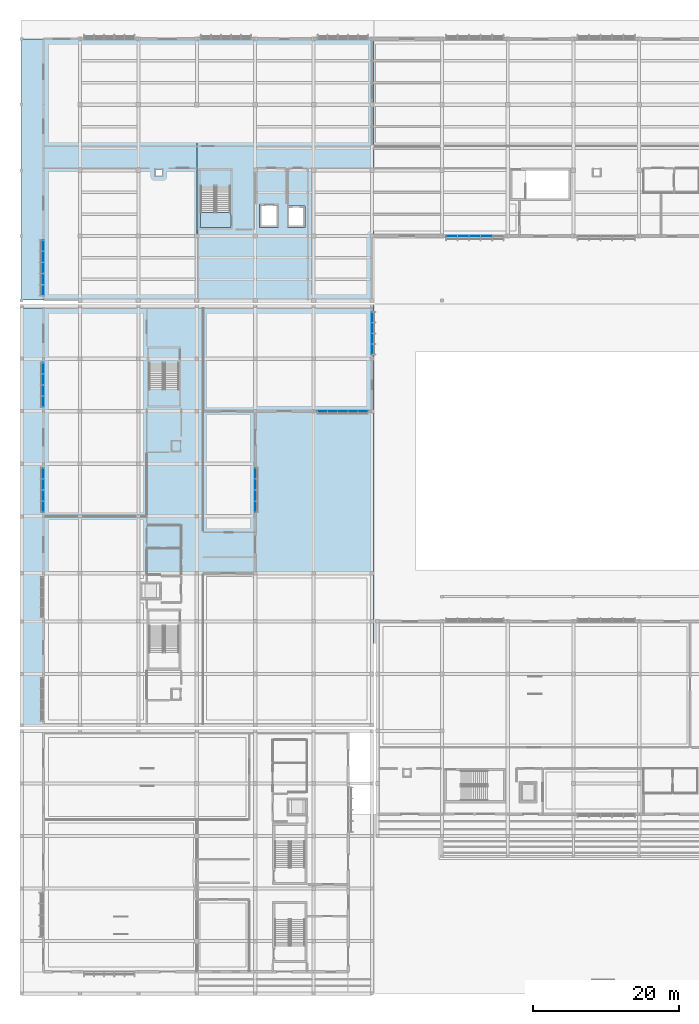
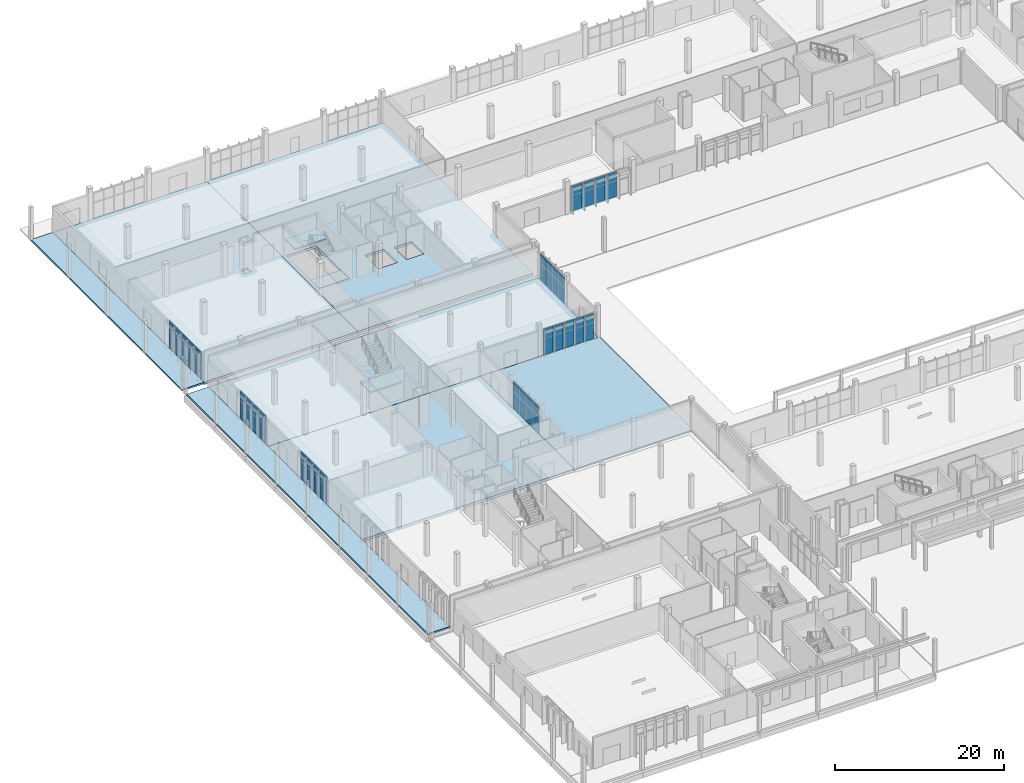
# One storey, part 108 of 151: 30 plates, 10 slabs, 9 elements without a shape of their own.
"""IFC4 building model written with IfcOpenShell, lengths in metres."""

import ifcopenshell
import ifcopenshell.guid

model = None  # the IFC model being written
_history = None  # IfcOwnerHistory: only IFC2X3 demands one
_inside = {}  # id of a spatial element -> (the spatial element, [elements in it])
_under = {}  # id of a project, library or spatial element -> (it, [spatial elements below it])
_declared = {}  # id of a project -> (the project, [libraries it declares])
_typed = {}  # id of a type object -> (the type object, [elements of that type])
_made_of = {}  # id of a material, layer set ... -> (it, [elements and type objects made of it])


def new_model(schema):
    """Start an empty IFC model of exactly this schema.

    Asked for "IFC4X3", IfcOpenShell would pick the latest addendum, in which some entities
    have other attributes; the version numbers below select the first issue.
    IFC2X3 requires an IfcOwnerHistory on every rooted entity: one is made here for all.
    """
    global model, _history
    if schema == "IFC4X3":
        model = ifcopenshell.file(schema_version=(4, 3, 0, 0))
    else:
        model = ifcopenshell.file(schema=schema)
    _inside.clear()
    _under.clear()
    _declared.clear()
    _typed.clear()
    _made_of.clear()
    _history = None
    if model.schema == "IFC2X3":
        org = make("IfcOrganization", Name="unknown")
        user = make(
            "IfcPersonAndOrganization",
            ThePerson=make("IfcPerson", FamilyName="unknown"),
            TheOrganization=org,
        )
        app = make(
            "IfcApplication",
            ApplicationDeveloper=org,
            Version="unknown",
            ApplicationFullName="unknown",
            ApplicationIdentifier="unknown",
        )
        _history = make(
            "IfcOwnerHistory",
            OwningUser=user,
            OwningApplication=app,
            ChangeAction="ADDED",
            CreationDate=0,
        )
    return model


def make(cls, **values):
    """One entity of the class cls with the attributes given. An attribute that is None is left unset."""
    return model.create_entity(
        cls, **{name: value for name, value in values.items() if value is not None}
    )


def rooted(cls, **values):
    """An entity with a GlobalId (a new one), such as an element, a storey or a relation."""
    return make(cls, GlobalId=ifcopenshell.guid.new(), OwnerHistory=_history, **values)


def si_unit(unit_type, name, prefix=None):
    """IfcSIUnit, for example si_unit("LENGTHUNIT", "METRE", prefix="MILLI")."""
    return make("IfcSIUnit", UnitType=unit_type, Prefix=prefix, Name=name)


def assignment(units):
    """IfcUnitAssignment: the units of a project."""
    return None if units is None else make("IfcUnitAssignment", Units=units)


def point(xyz):
    """IfcCartesianPoint."""
    return None if xyz is None else make("IfcCartesianPoint", Coordinates=xyz)


def direction(xyz):
    """IfcDirection."""
    return None if xyz is None else make("IfcDirection", DirectionRatios=xyz)


def frame(location, z_axis=None, x_axis=None):
    """IfcAxis2Placement3D, a coordinate frame: its origin and axes. An axis left out is left unset."""
    return make(
        "IfcAxis2Placement3D",
        Location=point(location),
        Axis=direction(z_axis),
        RefDirection=direction(x_axis),
    )


def frame_2d(location, x_axis=None):
    """IfcAxis2Placement2D, a coordinate frame in the plane: its origin and x axis."""
    return make(
        "IfcAxis2Placement2D", Location=point(location), RefDirection=direction(x_axis)
    )


def origin():
    """The frame at (0, 0, 0) with its axes left unset."""
    return frame((0.0, 0.0, 0.0))


def origin_2d():
    """The frame at (0, 0) in the plane with its x axis left unset."""
    return frame_2d((0.0, 0.0))


def place(relative_to, where):
    """IfcLocalPlacement: puts the frame where relative to a parent placement (None: the world)."""
    return make(
        "IfcLocalPlacement", PlacementRelTo=relative_to, RelativePlacement=where
    )


def context(
    kind, dimensions, precision=None, world=None, true_north=None, identifier=None
):
    """IfcGeometricRepresentationContext, for example the 3D "Model" context."""
    return make(
        "IfcGeometricRepresentationContext",
        ContextIdentifier=identifier,
        ContextType=kind,
        CoordinateSpaceDimension=dimensions,
        Precision=precision,
        WorldCoordinateSystem=world,
        TrueNorth=true_north,
    )


def subcontext(parent, identifier, kind, view, scale=None):
    """IfcGeometricRepresentationSubContext, for example "Body" below "Model"."""
    return make(
        "IfcGeometricRepresentationSubContext",
        ContextIdentifier=identifier,
        ContextType=kind,
        ParentContext=parent,
        TargetScale=scale,
        TargetView=view,
    )


def project(units=None, contexts=None):
    """IfcProject with its units and contexts."""
    return rooted(
        "IfcProject",
        Name="project",
        RepresentationContexts=contexts,
        UnitsInContext=assignment(units),
    )


def spatial(cls, under=None, at=None, **own):
    """A site, building, storey or space (cls), placed at a placement, below another one or the project."""
    s = rooted(cls, ObjectPlacement=at, **own)
    if under is not None:
        _under.setdefault(under.id(), (under, []))[1].append(s)
    return s


def polyline(points):
    """IfcPolyline through the points."""
    return make("IfcPolyline", Points=[point(p) for p in points])


def profile(cls, at=None, kind="AREA", **sizes):
    """A parametric profile (cls). Its sizes go by their IFC names, for example OverallWidth=200.0."""
    return make(cls, ProfileType=kind, Position=at, **sizes)


def rectangle(**sizes):
    """IfcRectangleProfileDef."""
    return profile("IfcRectangleProfileDef", **sizes)


def outline(outer, holes=None, kind="AREA"):
    """IfcArbitraryClosedProfileDef: a profile drawn as a closed curve; with holes, ...WithVoids."""
    if holes is None:
        return make("IfcArbitraryClosedProfileDef", ProfileType=kind, OuterCurve=outer)
    return make(
        "IfcArbitraryProfileDefWithVoids",
        ProfileType=kind,
        OuterCurve=outer,
        InnerCurves=holes,
    )


def extrude(swept, where, along, depth):
    """IfcExtrudedAreaSolid: the profile swept, set in the frame where, extruded along a direction by depth."""
    return make(
        "IfcExtrudedAreaSolid",
        SweptArea=swept,
        Position=where,
        ExtrudedDirection=direction(along),
        Depth=depth,
    )


def shape(context_of_items, identifier, shape_type, items):
    """IfcShapeRepresentation: the items that make up one representation, for example the "Body"."""
    return make(
        "IfcShapeRepresentation",
        ContextOfItems=context_of_items,
        RepresentationIdentifier=identifier,
        RepresentationType=shape_type,
        Items=items,
    )


def material(Name=None, Category=None):
    """IfcMaterial."""
    return make("IfcMaterial", Name=Name, Category=Category)


def layer(
    of_material, thickness, ventilated=None, Name=None, Category=None, Priority=None
):
    """IfcMaterialLayer: one layer of a wall or slab, of a material (None: an air gap)."""
    return make(
        "IfcMaterialLayer",
        Material=of_material,
        LayerThickness=thickness,
        IsVentilated=ventilated,
        Name=Name,
        Category=Category,
        Priority=Priority,
    )


def layer_set(layers, Name=None):
    """IfcMaterialLayerSet."""
    return make("IfcMaterialLayerSet", MaterialLayers=layers, LayerSetName=Name)


def made_of(thing, what):
    """Note that an element or type object is made of a material, layer set ...; save() writes the relation."""
    if what is not None:
        _made_of.setdefault(what.id(), (what, []))[1].append(thing)
    return thing


def type_object(cls, material=None, **own):
    """A type object (cls), such as IfcWallType, which elements share."""
    return made_of(rooted(cls, **own), material)


def element(
    cls,
    number,
    at=None,
    inside=None,
    cuts=None,
    type_object=None,
    material=None,
    context=None,
    identifier="Body",
    shape_type=None,
    held_by="IfcProductDefinitionShape",
    body=None,
    shapes=None,
    **own,
):
    """One element of the class cls, such as IfcWall. Its Tag is "e" and its number.

    at: its placement. inside: the storey or other place that contains it. cuts: it is an
    opening in that element (IfcRelVoidsElement). A single representation is given by context,
    identifier, shape_type and body (its items); several are given by shapes. held_by: the class
    of the entity that holds the representations. save() writes the other relations.
    """
    e = rooted(cls, Tag="e%d" % number, ObjectPlacement=at, **own)
    if body is not None:
        shapes = [shape(context, identifier, shape_type, body)]
    if shapes is not None:
        e.Representation = make(held_by, Representations=shapes)
    if inside is not None:
        _inside.setdefault(inside.id(), (inside, []))[1].append(e)
    if cuts is not None:
        rooted(
            "IfcRelVoidsElement", RelatingBuildingElement=cuts, RelatedOpeningElement=e
        )
    if type_object is not None:
        _typed.setdefault(type_object.id(), (type_object, []))[1].append(e)
    return made_of(e, material)


def aggregate(whole, parts):
    """IfcRelAggregates: a whole, such as a stair, and the parts it consists of."""
    return rooted("IfcRelAggregates", RelatingObject=whole, RelatedObjects=parts)


def save(model, path):
    """Write the relations noted so far, then the file.

    IfcRelAggregates (storeys below a building ...), IfcRelContainedInSpatialStructure (elements
    in a storey), IfcRelDefinesByType, IfcRelAssociatesMaterial and IfcRelDeclares: one each for
    every whole, place, type object, material and project.
    """
    for whole, parts in _under.values():
        aggregate(whole, parts)
    for where, things in _inside.values():
        rooted(
            "IfcRelContainedInSpatialStructure",
            RelatedElements=things,
            RelatingStructure=where,
        )
    for kind, things in _typed.values():
        rooted("IfcRelDefinesByType", RelatedObjects=things, RelatingType=kind)
    for what, things in _made_of.values():
        rooted("IfcRelAssociatesMaterial", RelatedObjects=things, RelatingMaterial=what)
    for by, libraries in _declared.values():
        rooted("IfcRelDeclares", RelatingContext=by, RelatedDefinitions=libraries)
    model.write(path)


model = new_model("IFC4")

# Units and contexts
model_context = context("Model", 3, precision=1e-05, world=origin(), true_north=direction((0.0, 1.0)))
body_context = subcontext(model_context, "Body", "Model", "MODEL_VIEW")
ifc_project = project(units=[si_unit("LENGTHUNIT", "METRE"), si_unit("AREAUNIT", "SQUARE_METRE"), si_unit("VOLUMEUNIT", "CUBIC_METRE"), si_unit("PLANEANGLEUNIT", "RADIAN"), si_unit("MASSUNIT", "GRAM", prefix="KILO")], contexts=[model_context])

# Site, building, storey
site_placement = place(None, origin())
site = spatial("IfcSite", under=ifc_project, at=site_placement, CompositionType="ELEMENT")
building_placement = place(site_placement, origin())
building = spatial("IfcBuilding", under=site, at=building_placement, Name="Chiffa Square Polytechnic", CompositionType="ELEMENT")
storey_placement = place(building_placement, origin())
storey = spatial("IfcBuildingStorey", under=building, at=storey_placement, Name="L00", CompositionType="ELEMENT", Elevation=0.0)

# Curtain wall, plates
ifc_material_1 = material(Name="Aluminium EN AW-6060 T66 and glulam shading", Category="wood")
curtain_wall_type_1 = type_object("IfcCurtainWallType", Name="CW-VERT-450X380", PredefinedType="USERDEFINED", material=ifc_material_1)
curtain_wall_1_placement = place(storey_placement, origin())
curtain_wall_1 = element("IfcCurtainWall", 1, at=curtain_wall_1_placement, inside=storey, type_object=curtain_wall_type_1, Name="Curtain wall CW-V6-L00-250", ObjectType="CURTAIN WALL", PredefinedType="USERDEFINED")
ifc_material_2 = material(Name="Double glazing", Category="glass")
ifc_layer_1 = layer(ifc_material_2, 0.035888671875, Name="Double glazing")
ifc_layer_set_1 = layer_set([ifc_layer_1], Name="Double glazing")
plate_type_1 = type_object("IfcPlateType", Name="CWP-GLZ-120X145", PredefinedType="CURTAIN_PANEL", material=ifc_layer_set_1)
plate_1_placement = place(storey_placement, frame((48.0, 88.284912109375, 0.049560546875), z_axis=(0.0, 0.0, 1.0), x_axis=(0.0, 1.0, 0.0)))
plate_1 = element("IfcPlate", 2, at=plate_1_placement, type_object=plate_type_1, Name="Glazed curtain panel CW-V6-L00-250-PN01", PredefinedType="CURTAIN_PANEL", context=body_context, shape_type="SweptSolid", body=[
    extrude(rectangle(XDim=1.39306640625, YDim=0.035888671875, at=origin_2d()), origin(), (0.0, 0.0, 1.0), 3.85498046875),
])
plate_2_placement = place(storey_placement, frame((48.0, 89.740966796875, 0.049560546875), z_axis=(0.0, 0.0, 1.0), x_axis=(0.0, 1.0, 0.0)))
plate_2 = element("IfcPlate", 3, at=plate_2_placement, type_object=plate_type_1, Name="Glazed curtain panel CW-V6-L00-250-PN02", PredefinedType="CURTAIN_PANEL", context=body_context, shape_type="SweptSolid", body=[
    extrude(rectangle(XDim=1.4150390625, YDim=0.035888671875, at=origin_2d()), origin(), (0.0, 0.0, 1.0), 3.85498046875),
])
plate_3_placement = place(storey_placement, frame((48.0, 91.208984375, 0.049560546875), z_axis=(0.0, 0.0, 1.0), x_axis=(0.0, 1.0, 0.0)))
plate_3 = element("IfcPlate", 4, at=plate_3_placement, type_object=plate_type_1, Name="Glazed curtain panel CW-V6-L00-250-PN03", PredefinedType="CURTAIN_PANEL", context=body_context, shape_type="SweptSolid", body=[
    extrude(rectangle(XDim=1.4150390625, YDim=0.035888671875, at=origin_2d()), origin(), (0.0, 0.0, 1.0), 3.85498046875),
])
plate_4_placement = place(storey_placement, frame((48.0, 92.6650390625, 0.049560546875), z_axis=(0.0, 0.0, 1.0), x_axis=(0.0, 1.0, 0.0)))
plate_4 = element("IfcPlate", 5, at=plate_4_placement, type_object=plate_type_1, Name="Glazed curtain panel CW-V6-L00-250-PN04", PredefinedType="CURTAIN_PANEL", context=body_context, shape_type="SweptSolid", body=[
    extrude(rectangle(XDim=1.39306640625, YDim=0.035888671875, at=origin_2d()), origin(), (0.0, 0.0, 1.0), 3.85498046875),
])
aggregate(curtain_wall_1, [plate_1, plate_2, plate_3, plate_4])

curtain_wall_type_2 = type_object("IfcCurtainWallType", Name="CW-VERT-600X380", PredefinedType="USERDEFINED", material=ifc_material_1)
curtain_wall_2_placement = place(storey_placement, origin())
curtain_wall_2 = element("IfcCurtainWall", 6, at=curtain_wall_2_placement, inside=storey, type_object=curtain_wall_type_2, Name="Curtain wall CW-V5-L00-188", ObjectType="CURTAIN WALL", PredefinedType="USERDEFINED")
ifc_layer_2 = layer(ifc_material_2, 0.0439453125, Name="Double glazing")
ifc_layer_set_2 = layer_set([ifc_layer_2], Name="Double glazing")
plate_type_2 = type_object("IfcPlateType", Name="CWP-GLZ-134X118", PredefinedType="CURTAIN_PANEL", material=ifc_layer_set_2)
plate_5_placement = place(storey_placement, frame((58.943115234375, 103.800048828125, 0.04931640625), z_axis=(0.0, 0.0, 1.0), x_axis=(1.0, 0.0, 0.0)))
plate_5 = element("IfcPlate", 7, at=plate_5_placement, type_object=plate_type_2, Name="Glazed curtain panel CW-V5-L00-188-PN01", PredefinedType="CURTAIN_PANEL", context=body_context, shape_type="SweptSolid", body=[
    extrude(rectangle(XDim=1.510009765625, YDim=0.0439453125, at=origin_2d()), origin(), (0.0, 0.0, 1.0), 3.655029296875),
])
plate_6_placement = place(storey_placement, frame((60.51611328125, 103.800048828125, 0.04931640625), z_axis=(0.0, 0.0, 1.0), x_axis=(1.0, 0.0, 0.0)))
plate_6 = element("IfcPlate", 8, at=plate_6_placement, type_object=plate_type_2, Name="Glazed curtain panel CW-V5-L00-188-PN02", PredefinedType="CURTAIN_PANEL", context=body_context, shape_type="SweptSolid", body=[
    extrude(rectangle(XDim=1.531982421875, YDim=0.0439453125, at=origin_2d()), origin(), (0.0, 0.0, 1.0), 3.655029296875),
])
plate_7_placement = place(storey_placement, frame((62.10009765625, 103.800048828125, 0.04931640625), z_axis=(0.0, 0.0, 1.0), x_axis=(1.0, 0.0, 0.0)))
plate_7 = element("IfcPlate", 9, at=plate_7_placement, type_object=plate_type_2, Name="Glazed curtain panel CW-V5-L00-188-PN03", PredefinedType="CURTAIN_PANEL", context=body_context, shape_type="SweptSolid", body=[
    extrude(rectangle(XDim=1.531982421875, YDim=0.0439453125, at=origin_2d()), origin(), (0.0, 0.0, 1.0), 3.655029296875),
])
plate_8_placement = place(storey_placement, frame((63.68408203125, 103.800048828125, 0.04931640625), z_axis=(0.0, 0.0, 1.0), x_axis=(1.0, 0.0, 0.0)))
plate_8 = element("IfcPlate", 10, at=plate_8_placement, type_object=plate_type_2, Name="Glazed curtain panel CW-V5-L00-188-PN04", PredefinedType="CURTAIN_PANEL", context=body_context, shape_type="SweptSolid", body=[
    extrude(rectangle(XDim=1.531982421875, YDim=0.0439453125, at=origin_2d()), origin(), (0.0, 0.0, 1.0), 3.655029296875),
])
aggregate(curtain_wall_2, [plate_5, plate_6, plate_7, plate_8])

curtain_wall_type_3 = type_object("IfcCurtainWallType", Name="CW-VERT-480X380", PredefinedType="USERDEFINED", material=ifc_material_1)
curtain_wall_3_placement = place(storey_placement, origin())
curtain_wall_3 = element("IfcCurtainWall", 11, at=curtain_wall_3_placement, inside=storey, type_object=curtain_wall_type_3, Name="Curtain wall CW-V5-L00-198", ObjectType="CURTAIN WALL", PredefinedType="USERDEFINED")
ifc_layer_3 = layer(ifc_material_2, 0.0400390625, Name="Double glazing")
ifc_layer_set_3 = layer_set([ifc_layer_3], Name="Double glazing")
plate_type_3 = type_object("IfcPlateType", Name="CWP-GLZ-144X134", PredefinedType="CURTAIN_PANEL", material=ifc_layer_set_3)
plate_9_placement = place(storey_placement, frame((3.0, 102.48193359375, 0.05029296875), z_axis=(0.0, 0.0, 1.0), x_axis=(0.0, -1.0, 0.0)))
plate_9 = element("IfcPlate", 12, at=plate_9_placement, type_object=plate_type_3, Name="Glazed curtain panel CW-V5-L00-198-PN01", PredefinedType="CURTAIN_PANEL", context=body_context, shape_type="SweptSolid", body=[
    extrude(rectangle(XDim=1.4599609375, YDim=0.0400390625, at=origin_2d()), origin(), (0.0, 0.0, 1.0), 3.925048828125),
])
plate_10_placement = place(storey_placement, frame((3.0, 100.958984375, 0.05029296875), z_axis=(0.0, 0.0, 1.0), x_axis=(0.0, -1.0, 0.0)))
plate_10 = element("IfcPlate", 13, at=plate_10_placement, type_object=plate_type_3, Name="Glazed curtain panel CW-V5-L00-198-PN02", PredefinedType="CURTAIN_PANEL", context=body_context, shape_type="SweptSolid", body=[
    extrude(rectangle(XDim=1.48193359375, YDim=0.0400390625, at=origin_2d()), origin(), (0.0, 0.0, 1.0), 3.925048828125),
])
plate_11_placement = place(storey_placement, frame((3.0, 99.425048828125, 0.05029296875), z_axis=(0.0, 0.0, 1.0), x_axis=(0.0, -1.0, 0.0)))
plate_11 = element("IfcPlate", 14, at=plate_11_placement, type_object=plate_type_3, Name="Glazed curtain panel CW-V5-L00-198-PN03", PredefinedType="CURTAIN_PANEL", context=body_context, shape_type="SweptSolid", body=[
    extrude(rectangle(XDim=1.48193359375, YDim=0.0400390625, at=origin_2d()), origin(), (0.0, 0.0, 1.0), 3.925048828125),
])
plate_12_placement = place(storey_placement, frame((3.0, 97.89111328125, 0.05029296875), z_axis=(0.0, 0.0, 1.0), x_axis=(0.0, -1.0, 0.0)))
plate_12 = element("IfcPlate", 15, at=plate_12_placement, type_object=plate_type_3, Name="Glazed curtain panel CW-V5-L00-198-PN04", PredefinedType="CURTAIN_PANEL", context=body_context, shape_type="SweptSolid", body=[
    extrude(rectangle(XDim=1.48193359375, YDim=0.0400390625, at=origin_2d()), origin(), (0.0, 0.0, 1.0), 3.925048828125),
])
plate_13_placement = place(storey_placement, frame((3.0, 96.367919921875, 0.05029296875), z_axis=(0.0, 0.0, 1.0), x_axis=(0.0, -1.0, 0.0)))
plate_13 = element("IfcPlate", 16, at=plate_13_placement, type_object=plate_type_3, Name="Glazed curtain panel CW-V5-L00-198-PN05", PredefinedType="CURTAIN_PANEL", context=body_context, shape_type="SweptSolid", body=[
    extrude(rectangle(XDim=1.4599609375, YDim=0.0400390625, at=origin_2d()), origin(), (0.0, 0.0, 1.0), 3.925048828125),
])
aggregate(curtain_wall_3, [plate_9, plate_10, plate_11, plate_12, plate_13])

curtain_wall_4_placement = place(storey_placement, origin())
curtain_wall_4 = element("IfcCurtainWall", 17, at=curtain_wall_4_placement, inside=storey, type_object=curtain_wall_type_2, Name="Curtain wall CW-V6-L00-252", ObjectType="CURTAIN WALL", PredefinedType="USERDEFINED")
ifc_layer_4 = layer(ifc_material_2, 0.0380859375, Name="Double glazing")
ifc_layer_set_4 = layer_set([ifc_layer_4], Name="Double glazing")
plate_type_4 = type_object("IfcPlateType", Name="CWP-GLZ-148X142", PredefinedType="CURTAIN_PANEL", material=ifc_layer_set_4)
plate_14_placement = place(storey_placement, frame((3.0, 71.283935546875, 0.05029296875), z_axis=(0.0, 0.0, 1.0), x_axis=(0.0, -1.0, 0.0)))
plate_14 = element("IfcPlate", 18, at=plate_14_placement, type_object=plate_type_4, Name="Glazed curtain panel CW-V6-L00-252-PN01", PredefinedType="CURTAIN_PANEL", context=body_context, shape_type="SweptSolid", body=[
    extrude(rectangle(XDim=1.4560546875, YDim=0.0380859375, at=origin_2d()), origin(), (0.0, 0.0, 1.0), 3.965087890625),
])
plate_15_placement = place(storey_placement, frame((3.0, 69.764892578125, 0.05029296875), z_axis=(0.0, 0.0, 1.0), x_axis=(0.0, -1.0, 0.0)))
plate_15 = element("IfcPlate", 19, at=plate_15_placement, type_object=plate_type_4, Name="Glazed curtain panel CW-V6-L00-252-PN02", PredefinedType="CURTAIN_PANEL", context=body_context, shape_type="SweptSolid", body=[
    extrude(rectangle(XDim=1.47802734375, YDim=0.0380859375, at=origin_2d()), origin(), (0.0, 0.0, 1.0), 3.965087890625),
])
plate_16_placement = place(storey_placement, frame((3.0, 68.235107421875, 0.05029296875), z_axis=(0.0, 0.0, 1.0), x_axis=(0.0, -1.0, 0.0)))
plate_16 = element("IfcPlate", 20, at=plate_16_placement, type_object=plate_type_4, Name="Glazed curtain panel CW-V6-L00-252-PN03", PredefinedType="CURTAIN_PANEL", context=body_context, shape_type="SweptSolid", body=[
    extrude(rectangle(XDim=1.47802734375, YDim=0.0380859375, at=origin_2d()), origin(), (0.0, 0.0, 1.0), 3.965087890625),
])
plate_17_placement = place(storey_placement, frame((3.0, 66.716064453125, 0.05029296875), z_axis=(0.0, 0.0, 1.0), x_axis=(0.0, -1.0, 0.0)))
plate_17 = element("IfcPlate", 21, at=plate_17_placement, type_object=plate_type_4, Name="Glazed curtain panel CW-V6-L00-252-PN04", PredefinedType="CURTAIN_PANEL", context=body_context, shape_type="SweptSolid", body=[
    extrude(rectangle(XDim=1.4560546875, YDim=0.0380859375, at=origin_2d()), origin(), (0.0, 0.0, 1.0), 3.965087890625),
])
aggregate(curtain_wall_4, [plate_14, plate_15, plate_16, plate_17])

curtain_wall_type_4 = type_object("IfcCurtainWallType", Name="CW-VERT-600X440", PredefinedType="USERDEFINED", material=ifc_material_1)
curtain_wall_5_placement = place(storey_placement, origin())
curtain_wall_5 = element("IfcCurtainWall", 22, at=curtain_wall_5_placement, inside=storey, type_object=curtain_wall_type_4, Name="Curtain wall CW-V6-L00-249", ObjectType="CURTAIN WALL", PredefinedType="USERDEFINED")
ifc_layer_5 = layer(ifc_material_2, 0.035888671875, Name="Double glazing")
ifc_layer_set_5 = layer_set([ifc_layer_5], Name="Double glazing")
plate_type_5 = type_object("IfcPlateType", Name="CWP-GLZ-150X125", PredefinedType="CURTAIN_PANEL", material=ifc_layer_set_5)
plate_18_placement = place(storey_placement, frame((41.242919921875, 79.800048828125, 0.049560546875), z_axis=(0.0, 0.0, 1.0), x_axis=(1.0, 0.0, 0.0)))
plate_18 = element("IfcPlate", 23, at=plate_18_placement, type_object=plate_type_5, Name="Glazed curtain panel CW-V6-L00-249-PN01", PredefinedType="CURTAIN_PANEL", context=body_context, shape_type="SweptSolid", body=[
    extrude(rectangle(XDim=1.31005859375, YDim=0.035888671875, at=origin_2d()), origin(), (0.0, 0.0, 1.0), 3.705078125),
])
plate_19_placement = place(storey_placement, frame((42.615966796875, 79.800048828125, 0.049560546875), z_axis=(0.0, 0.0, 1.0), x_axis=(1.0, 0.0, 0.0)))
plate_19 = element("IfcPlate", 24, at=plate_19_placement, type_object=plate_type_5, Name="Glazed curtain panel CW-V6-L00-249-PN02", PredefinedType="CURTAIN_PANEL", context=body_context, shape_type="SweptSolid", body=[
    extrude(rectangle(XDim=1.33203125, YDim=0.035888671875, at=origin_2d()), origin(), (0.0, 0.0, 1.0), 3.705078125),
])
plate_20_placement = place(storey_placement, frame((44.0, 79.800048828125, 0.049560546875), z_axis=(0.0, 0.0, 1.0), x_axis=(1.0, 0.0, 0.0)))
plate_20 = element("IfcPlate", 25, at=plate_20_placement, type_object=plate_type_5, Name="Glazed curtain panel CW-V6-L00-249-PN03", PredefinedType="CURTAIN_PANEL", context=body_context, shape_type="SweptSolid", body=[
    extrude(rectangle(XDim=1.33203125, YDim=0.035888671875, at=origin_2d()), origin(), (0.0, 0.0, 1.0), 3.705078125),
])
plate_21_placement = place(storey_placement, frame((45.384033203125, 79.800048828125, 0.049560546875), z_axis=(0.0, 0.0, 1.0), x_axis=(1.0, 0.0, 0.0)))
plate_21 = element("IfcPlate", 26, at=plate_21_placement, type_object=plate_type_5, Name="Glazed curtain panel CW-V6-L00-249-PN04", PredefinedType="CURTAIN_PANEL", context=body_context, shape_type="SweptSolid", body=[
    extrude(rectangle(XDim=1.33203125, YDim=0.035888671875, at=origin_2d()), origin(), (0.0, 0.0, 1.0), 3.705078125),
])
plate_22_placement = place(storey_placement, frame((46.757080078125, 79.800048828125, 0.049560546875), z_axis=(0.0, 0.0, 1.0), x_axis=(1.0, 0.0, 0.0)))
plate_22 = element("IfcPlate", 27, at=plate_22_placement, type_object=plate_type_5, Name="Glazed curtain panel CW-V6-L00-249-PN05", PredefinedType="CURTAIN_PANEL", context=body_context, shape_type="SweptSolid", body=[
    extrude(rectangle(XDim=1.31005859375, YDim=0.035888671875, at=origin_2d()), origin(), (0.0, 0.0, 1.0), 3.705078125),
])
aggregate(curtain_wall_5, [plate_18, plate_19, plate_20, plate_21, plate_22])

curtain_wall_type_5 = type_object("IfcCurtainWallType", Name="CW-VERT-450X440", PredefinedType="USERDEFINED", material=ifc_material_1)
curtain_wall_6_placement = place(storey_placement, origin())
curtain_wall_6 = element("IfcCurtainWall", 28, at=curtain_wall_6_placement, inside=storey, type_object=curtain_wall_type_5, Name="Curtain wall CW-V6-L00-248", ObjectType="CURTAIN WALL", PredefinedType="USERDEFINED")
ifc_layer_6 = layer(ifc_material_2, 0.035888671875, Name="Double glazing")
ifc_layer_set_6 = layer_set([ifc_layer_6], Name="Double glazing")
plate_type_6 = type_object("IfcPlateType", Name="CWP-GLZ-150X145", PredefinedType="CURTAIN_PANEL", material=ifc_layer_set_6)
plate_23_placement = place(storey_placement, frame((32.0, 66.716064453125, 0.049560546875), z_axis=(0.0, 0.0, 1.0), x_axis=(0.0, 1.0, 0.0)))
plate_23 = element("IfcPlate", 29, at=plate_23_placement, type_object=plate_type_6, Name="Glazed curtain panel CW-V6-L00-248-PN01", PredefinedType="CURTAIN_PANEL", context=body_context, shape_type="SweptSolid", body=[
    extrude(rectangle(XDim=1.4560546875, YDim=0.035888671875, at=origin_2d()), origin(), (0.0, 0.0, 1.0), 3.85498046875),
])
plate_24_placement = place(storey_placement, frame((32.0, 68.235107421875, 0.049560546875), z_axis=(0.0, 0.0, 1.0), x_axis=(0.0, 1.0, 0.0)))
plate_24 = element("IfcPlate", 30, at=plate_24_placement, type_object=plate_type_6, Name="Glazed curtain panel CW-V6-L00-248-PN02", PredefinedType="CURTAIN_PANEL", context=body_context, shape_type="SweptSolid", body=[
    extrude(rectangle(XDim=1.47802734375, YDim=0.035888671875, at=origin_2d()), origin(), (0.0, 0.0, 1.0), 3.85498046875),
])
plate_25_placement = place(storey_placement, frame((32.0, 69.764892578125, 0.049560546875), z_axis=(0.0, 0.0, 1.0), x_axis=(0.0, 1.0, 0.0)))
plate_25 = element("IfcPlate", 31, at=plate_25_placement, type_object=plate_type_6, Name="Glazed curtain panel CW-V6-L00-248-PN03", PredefinedType="CURTAIN_PANEL", context=body_context, shape_type="SweptSolid", body=[
    extrude(rectangle(XDim=1.47802734375, YDim=0.035888671875, at=origin_2d()), origin(), (0.0, 0.0, 1.0), 3.85498046875),
])
plate_26_placement = place(storey_placement, frame((32.0, 71.283935546875, 0.049560546875), z_axis=(0.0, 0.0, 1.0), x_axis=(0.0, 1.0, 0.0)))
plate_26 = element("IfcPlate", 32, at=plate_26_placement, type_object=plate_type_6, Name="Glazed curtain panel CW-V6-L00-248-PN04", PredefinedType="CURTAIN_PANEL", context=body_context, shape_type="SweptSolid", body=[
    extrude(rectangle(XDim=1.4560546875, YDim=0.035888671875, at=origin_2d()), origin(), (0.0, 0.0, 1.0), 3.85498046875),
])
aggregate(curtain_wall_6, [plate_23, plate_24, plate_25, plate_26])

curtain_wall_type_6 = type_object("IfcCurtainWallType", Name="CW-VERT-300X380", PredefinedType="USERDEFINED", material=ifc_material_1)
curtain_wall_7_placement = place(storey_placement, origin())
curtain_wall_7 = element("IfcCurtainWall", 33, at=curtain_wall_7_placement, inside=storey, type_object=curtain_wall_type_6, Name="Curtain wall CW-V6-L00-251", ObjectType="CURTAIN WALL", PredefinedType="USERDEFINED")
ifc_layer_7 = layer(ifc_material_2, 0.035888671875, Name="Double glazing")
ifc_layer_set_7 = layer_set([ifc_layer_7], Name="Double glazing")
plate_type_7 = type_object("IfcPlateType", Name="CWP-GLZ-180X140", PredefinedType="CURTAIN_PANEL", material=ifc_layer_set_7)
plate_27_placement = place(storey_placement, frame((3.0, 85.68408203125, 0.05029296875), z_axis=(0.0, 0.0, 1.0), x_axis=(0.0, -1.0, 0.0)))
plate_27 = element("IfcPlate", 34, at=plate_27_placement, type_object=plate_type_7, Name="Glazed curtain panel CW-V6-L00-251-PN01", PredefinedType="CURTAIN_PANEL", context=body_context, shape_type="SweptSolid", body=[
    extrude(rectangle(XDim=1.4560546875, YDim=0.035888671875, at=origin_2d()), origin(), (0.0, 0.0, 1.0), 3.965087890625),
])
plate_28_placement = place(storey_placement, frame((3.0, 84.1650390625, 0.05029296875), z_axis=(0.0, 0.0, 1.0), x_axis=(0.0, -1.0, 0.0)))
plate_28 = element("IfcPlate", 35, at=plate_28_placement, type_object=plate_type_7, Name="Glazed curtain panel CW-V6-L00-251-PN02", PredefinedType="CURTAIN_PANEL", context=body_context, shape_type="SweptSolid", body=[
    extrude(rectangle(XDim=1.47802734375, YDim=0.035888671875, at=origin_2d()), origin(), (0.0, 0.0, 1.0), 3.965087890625),
])
plate_29_placement = place(storey_placement, frame((3.0, 82.635009765625, 0.05029296875), z_axis=(0.0, 0.0, 1.0), x_axis=(0.0, -1.0, 0.0)))
plate_29 = element("IfcPlate", 36, at=plate_29_placement, type_object=plate_type_7, Name="Glazed curtain panel CW-V6-L00-251-PN03", PredefinedType="CURTAIN_PANEL", context=body_context, shape_type="SweptSolid", body=[
    extrude(rectangle(XDim=1.47802734375, YDim=0.035888671875, at=origin_2d()), origin(), (0.0, 0.0, 1.0), 3.965087890625),
])
plate_30_placement = place(storey_placement, frame((3.0, 81.115966796875, 0.05029296875), z_axis=(0.0, 0.0, 1.0), x_axis=(0.0, -1.0, 0.0)))
plate_30 = element("IfcPlate", 37, at=plate_30_placement, type_object=plate_type_7, Name="Glazed curtain panel CW-V6-L00-251-PN04", PredefinedType="CURTAIN_PANEL", context=body_context, shape_type="SweptSolid", body=[
    extrude(rectangle(XDim=1.4560546875, YDim=0.035888671875, at=origin_2d()), origin(), (0.0, 0.0, 1.0), 3.965087890625),
])
aggregate(curtain_wall_7, [plate_27, plate_28, plate_29, plate_30])

# Slabs
ifc_material_3 = material(Name="Limestone paving on compacted sub-base", Category="masonry")
ifc_layer_8 = layer(ifc_material_3, 0.239990234375, Name="Limestone paving on compacted sub-base")
ifc_layer_set_8 = layer_set([ifc_layer_8], Name="Limestone paving on compacted sub-base")
slab_type_1 = type_object("IfcSlabType", Name="SLB-APRON-BASE-240", PredefinedType="FLOOR", material=ifc_layer_set_8)
slab_1_placement = place(storey_placement, frame((0.0, 0.0, -0.239990234375)))
element("IfcSlab", 38, at=slab_1_placement, inside=storey, type_object=slab_type_1, Name="Exterior colonnade and yard apron SLB-APRON-V6-W", PredefinedType="FLOOR", context=body_context, shape_type="SweptSolid", body=[
    extrude(outline(polyline([(2.988037109375, 93.949951171875), (2.988037109375, 36.85009765625), (0.0, 36.85009765625), (0.0, 93.949951171875), (2.988037109375, 93.949951171875)])), origin(), (0.0, 0.0, 1.0), 0.239990234375),
])
slab_2_placement = place(storey_placement, frame((0.0, 0.0, -0.239990234375)))
element("IfcSlab", 39, at=slab_2_placement, inside=storey, type_object=slab_type_1, Name="Exterior colonnade and yard apron SLB-APRON-V5-W", PredefinedType="FLOOR", context=body_context, shape_type="SweptSolid", body=[
    extrude(outline(polyline([(2.988037109375, 130.800048828125), (2.988037109375, 95.050048828125), (0.0, 95.050048828125), (0.0, 130.800048828125), (2.988037109375, 130.800048828125)])), origin(), (0.0, 0.0, 1.0), 0.239990234375),
])
slab_3_placement = place(storey_placement, frame((0.0, 0.0, -0.239990234375)))
element("IfcSlab", 40, at=slab_3_placement, inside=storey, type_object=slab_type_1, Name="Courtyard perimeter cloister paving SLB-COURTYARD-FORUM-1", PredefinedType="FLOOR", context=body_context, shape_type="SweptSolid", body=[
    extrude(outline(polyline([(32.0, 94.449951171875), (48.25, 94.449951171875), (48.25, 48.0), (48.014892578125, 48.0), (48.014892578125, 57.60009765625), (48.007080078125, 57.613037109375), (32.014892578125, 57.614990234375), (32.014892578125, 79.784912109375), (48.010009765625, 79.7880859375), (48.014892578125, 79.800048828125), (48.013916015625, 93.9541015625), (48.0, 93.965087890625), (32.0, 93.965087890625), (32.0, 94.449951171875)])), origin(), (0.0, 0.0, 1.0), 0.239990234375),
])
ifc_material_4 = material(Name="Concrete C35/45", Category="concrete")
ifc_layer_9 = layer(ifc_material_4, 0.39990234375, Name="Concrete C35/45")
ifc_layer_set_9 = layer_set([ifc_layer_9], Name="Concrete C35/45")
slab_type_2 = type_object("IfcSlabType", Name="SLB-BASE-400", PredefinedType="BASESLAB", material=ifc_layer_set_9)
slab_4_placement = place(storey_placement, frame((0.0, 0.0, -0.39990234375)))
element("IfcSlab", 41, at=slab_4_placement, inside=storey, type_object=slab_type_2, Name="V6 L00 structural slab SLB-V6-L00-048", PredefinedType="BASESLAB", context=body_context, shape_type="SweptSolid", body=[
    extrude(outline(polyline([(32.0, 57.60009765625), (3.0, 57.60009765625), (3.0, 79.800048828125), (32.0, 79.800048828125), (32.0, 57.60009765625)])), origin(), (0.0, 0.0, 1.0), 0.39990234375),
])
slab_5_placement = place(storey_placement, frame((0.0, 0.0, -0.39990234375)))
element("IfcSlab", 42, at=slab_5_placement, inside=storey, type_object=slab_type_2, Name="V6 L00 structural slab SLB-V6-L00-049", PredefinedType="BASESLAB", context=body_context, shape_type="SweptSolid", body=[
    extrude(outline(polyline([(32.0, 79.800048828125), (3.0, 79.800048828125), (3.0, 93.949951171875), (48.0, 93.949951171875), (48.0, 79.800048828125), (32.0, 79.800048828125)])), origin(), (0.0, 0.0, 1.0), 0.39990234375),
])
ifc_material_5 = material(Name="Concrete C40/50", Category="concrete")
ifc_layer_10 = layer(ifc_material_5, 0.35009765625, Name="Concrete C40/50")
ifc_layer_set_10 = layer_set([ifc_layer_10], Name="Concrete C40/50")
slab_type_3 = type_object("IfcSlabType", Name="SLB-FLR-350", PredefinedType="FLOOR", material=ifc_layer_set_10)
slab_6_placement = place(storey_placement, frame((0.0, 0.0, -0.35009765625)))
element("IfcSlab", 43, at=slab_6_placement, inside=storey, type_object=slab_type_3, Name="Stair core floor landing slab SLB-CORE-CORE-V5A-L00", PredefinedType="FLOOR", context=body_context, shape_type="SweptSolid", body=[
    extrude(outline(polyline([(28.60009765625, 105.0), (28.60009765625, 107.011962890625), (24.5, 107.011962890625), (24.5, 105.0), (28.60009765625, 105.0)])), origin(), (0.0, 0.0, 1.0), 0.35009765625),
])
slab_7_placement = place(storey_placement, frame((0.0, 0.0, -0.35009765625)))
element("IfcSlab", 44, at=slab_7_placement, inside=storey, type_object=slab_type_3, Name="V5 L00 structural slab SLB-V5-L00-023", PredefinedType="FLOOR", context=body_context, shape_type="SweptSolid", body=[
    extrude(outline(polyline([(3.0, 95.050048828125), (3.0, 130.800048828125), (24.0, 130.800048828125), (24.0, 95.050048828125), (3.0, 95.050048828125)]), holes=[polyline([(18.35009765625, 112.89990234375), (19.25, 112.89990234375), (19.25, 112.050048828125), (18.35009765625, 112.050048828125), (18.35009765625, 112.89990234375)])]), origin(), (0.0, 0.0, 1.0), 0.35009765625),
])
slab_8_placement = place(storey_placement, frame((0.0, 0.0, -0.35009765625)))
element("IfcSlab", 45, at=slab_8_placement, inside=storey, type_object=slab_type_3, Name="V5 L00 structural slab SLB-V5-L00-024", PredefinedType="FLOOR", context=body_context, shape_type="SweptSolid", body=[
    extrude(outline(polyline([(48.0, 103.800048828125), (48.0, 95.050048828125), (24.0, 95.050048828125), (24.0, 130.800048828125), (48.25, 130.800048828125), (48.25, 103.800048828125), (48.0, 103.800048828125)]), holes=[polyline([(24.5, 105.0), (24.5, 112.800048828125), (28.60009765625, 112.800048828125), (28.60009765625, 105.0), (24.5, 105.0)]), polyline([(32.60009765625, 108.199951171875), (35.199951171875, 108.199951171875), (35.199951171875, 105.0), (32.60009765625, 105.0), (32.60009765625, 108.199951171875)]), polyline([(36.39990234375, 107.89990234375), (38.800048828125, 107.89990234375), (38.800048828125, 105.0), (36.39990234375, 105.0), (36.39990234375, 107.89990234375)])]), origin(), (0.0, 0.0, 1.0), 0.35009765625),
])

# Stair, slab
stair_type = type_object("IfcStairType", Name="STAIR-DOG-1950", PredefinedType="HALF_TURN_STAIR", material=ifc_material_4)
stair_1_placement = place(storey_placement, origin())
stair_1 = element("IfcStair", 46, at=stair_1_placement, inside=storey, type_object=stair_type, Name="L00 Enclosed exit stair ST-V5A", PredefinedType="HALF_TURN_STAIR")
ifc_layer_11 = layer(ifc_material_4, 0.199951171875, Name="Concrete C35/45")
ifc_layer_set_11 = layer_set([ifc_layer_11], Name="Concrete C35/45")
slab_type_4 = type_object("IfcSlabType", Name="SLB-LND-200", PredefinedType="LANDING", material=ifc_layer_set_11)
slab_9_placement = place(storey_placement, frame((0.0, 0.0, 2.199951171875)))
slab_9 = element("IfcSlab", 47, at=slab_9_placement, type_object=slab_type_4, Name="ST-V5A landing 1", PredefinedType="LANDING", context=body_context, shape_type="SweptSolid", body=[
    extrude(outline(polyline([(28.719970703125, 110.52001953125), (24.3798828125, 110.52001953125), (24.3798828125, 112.919921875), (28.719970703125, 112.919921875), (28.719970703125, 110.52001953125)])), origin(), (0.0, 0.0, 1.0), 0.199951171875),
])
aggregate(stair_1, [slab_9])

stair_2_placement = place(storey_placement, origin())
stair_2 = element("IfcStair", 48, at=stair_2_placement, inside=storey, type_object=stair_type, Name="L00 Enclosed exit stair ST-V6B", PredefinedType="HALF_TURN_STAIR")
slab_10_placement = place(storey_placement, frame((0.0, 0.0, 2.199951171875)))
slab_10 = element("IfcSlab", 49, at=slab_10_placement, type_object=slab_type_4, Name="ST-V6B landing 1", PredefinedType="LANDING", context=body_context, shape_type="SweptSolid", body=[
    extrude(outline(polyline([(17.330078125, 82.8798828125), (21.669921875, 82.8798828125), (21.669921875, 80.47998046875), (17.330078125, 80.47998046875), (17.330078125, 82.8798828125)])), origin(), (0.0, 0.0, 1.0), 0.199951171875),
])
aggregate(stair_2, [slab_10])

save(model, "model.ifc")
